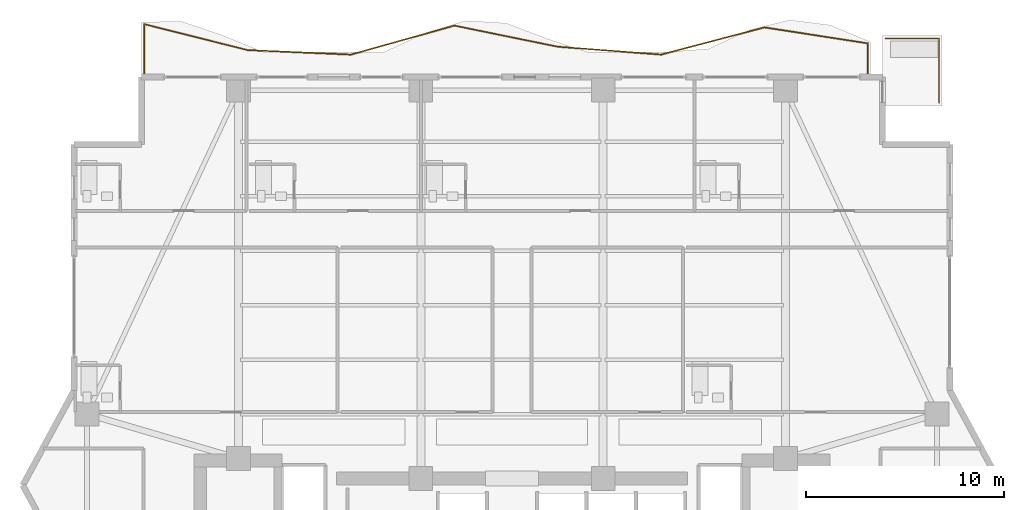
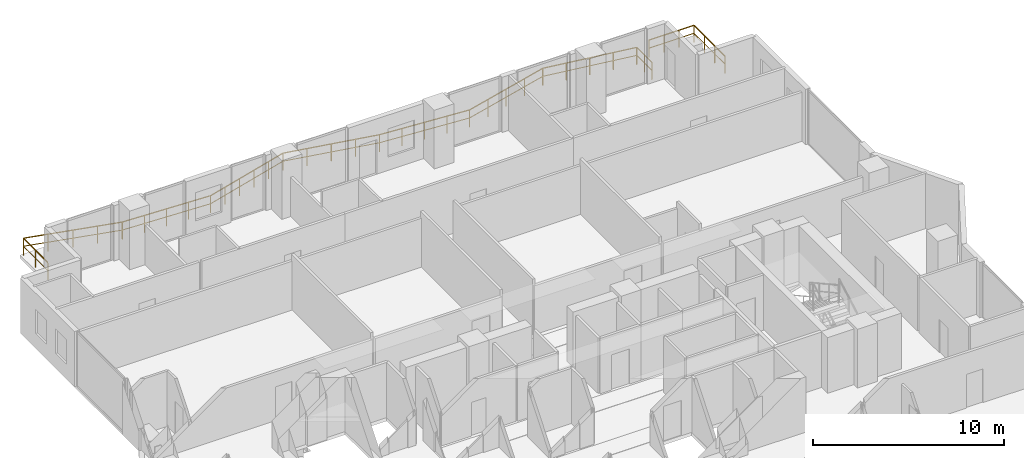
# One storey, part 32 of 33: 2 railings.
"""IFC4 building model written with IfcOpenShell, lengths in metres."""

import ifcopenshell
import ifcopenshell.guid

model = None  # the IFC model being written
_history = None  # IfcOwnerHistory: only IFC2X3 demands one
_inside = {}  # id of a spatial element -> (the spatial element, [elements in it])
_under = {}  # id of a project, library or spatial element -> (it, [spatial elements below it])
_declared = {}  # id of a project -> (the project, [libraries it declares])
_typed = {}  # id of a type object -> (the type object, [elements of that type])
_made_of = {}  # id of a material, layer set ... -> (it, [elements and type objects made of it])


def new_model(schema):
    """Start an empty IFC model of exactly this schema.

    Asked for "IFC4X3", IfcOpenShell would pick the latest addendum, in which some entities
    have other attributes; the version numbers below select the first issue.
    IFC2X3 requires an IfcOwnerHistory on every rooted entity: one is made here for all.
    """
    global model, _history
    if schema == "IFC4X3":
        model = ifcopenshell.file(schema_version=(4, 3, 0, 0))
    else:
        model = ifcopenshell.file(schema=schema)
    _inside.clear()
    _under.clear()
    _declared.clear()
    _typed.clear()
    _made_of.clear()
    _history = None
    if model.schema == "IFC2X3":
        org = make("IfcOrganization", Name="unknown")
        user = make(
            "IfcPersonAndOrganization",
            ThePerson=make("IfcPerson", FamilyName="unknown"),
            TheOrganization=org,
        )
        app = make(
            "IfcApplication",
            ApplicationDeveloper=org,
            Version="unknown",
            ApplicationFullName="unknown",
            ApplicationIdentifier="unknown",
        )
        _history = make(
            "IfcOwnerHistory",
            OwningUser=user,
            OwningApplication=app,
            ChangeAction="ADDED",
            CreationDate=0,
        )
    return model


def make(cls, **values):
    """One entity of the class cls with the attributes given. An attribute that is None is left unset."""
    return model.create_entity(
        cls, **{name: value for name, value in values.items() if value is not None}
    )


def rooted(cls, **values):
    """An entity with a GlobalId (a new one), such as an element, a storey or a relation."""
    return make(cls, GlobalId=ifcopenshell.guid.new(), OwnerHistory=_history, **values)


def si_unit(unit_type, name, prefix=None):
    """IfcSIUnit, for example si_unit("LENGTHUNIT", "METRE", prefix="MILLI")."""
    return make("IfcSIUnit", UnitType=unit_type, Prefix=prefix, Name=name)


def assignment(units):
    """IfcUnitAssignment: the units of a project."""
    return None if units is None else make("IfcUnitAssignment", Units=units)


def point(xyz):
    """IfcCartesianPoint."""
    return None if xyz is None else make("IfcCartesianPoint", Coordinates=xyz)


def direction(xyz):
    """IfcDirection."""
    return None if xyz is None else make("IfcDirection", DirectionRatios=xyz)


def frame(location, z_axis=None, x_axis=None):
    """IfcAxis2Placement3D, a coordinate frame: its origin and axes. An axis left out is left unset."""
    return make(
        "IfcAxis2Placement3D",
        Location=point(location),
        Axis=direction(z_axis),
        RefDirection=direction(x_axis),
    )


def frame_2d(location, x_axis=None):
    """IfcAxis2Placement2D, a coordinate frame in the plane: its origin and x axis."""
    return make(
        "IfcAxis2Placement2D", Location=point(location), RefDirection=direction(x_axis)
    )


def origin():
    """The frame at (0, 0, 0) with its axes left unset."""
    return frame((0.0, 0.0, 0.0))


def origin_2d():
    """The frame at (0, 0) in the plane with its x axis left unset."""
    return frame_2d((0.0, 0.0))


def place(relative_to, where):
    """IfcLocalPlacement: puts the frame where relative to a parent placement (None: the world)."""
    return make(
        "IfcLocalPlacement", PlacementRelTo=relative_to, RelativePlacement=where
    )


def context(
    kind, dimensions, precision=None, world=None, true_north=None, identifier=None
):
    """IfcGeometricRepresentationContext, for example the 3D "Model" context."""
    return make(
        "IfcGeometricRepresentationContext",
        ContextIdentifier=identifier,
        ContextType=kind,
        CoordinateSpaceDimension=dimensions,
        Precision=precision,
        WorldCoordinateSystem=world,
        TrueNorth=true_north,
    )


def subcontext(parent, identifier, kind, view, scale=None):
    """IfcGeometricRepresentationSubContext, for example "Body" below "Model"."""
    return make(
        "IfcGeometricRepresentationSubContext",
        ContextIdentifier=identifier,
        ContextType=kind,
        ParentContext=parent,
        TargetScale=scale,
        TargetView=view,
    )


def project(units=None, contexts=None):
    """IfcProject with its units and contexts."""
    return rooted(
        "IfcProject",
        Name="project",
        RepresentationContexts=contexts,
        UnitsInContext=assignment(units),
    )


def spatial(cls, under=None, at=None, **own):
    """A site, building, storey or space (cls), placed at a placement, below another one or the project."""
    s = rooted(cls, ObjectPlacement=at, **own)
    if under is not None:
        _under.setdefault(under.id(), (under, []))[1].append(s)
    return s


def profile(cls, at=None, kind="AREA", **sizes):
    """A parametric profile (cls). Its sizes go by their IFC names, for example OverallWidth=200.0."""
    return make(cls, ProfileType=kind, Position=at, **sizes)


def rectangle(**sizes):
    """IfcRectangleProfileDef."""
    return profile("IfcRectangleProfileDef", **sizes)


def extrude(swept, where, along, depth):
    """IfcExtrudedAreaSolid: the profile swept, set in the frame where, extruded along a direction by depth."""
    return make(
        "IfcExtrudedAreaSolid",
        SweptArea=swept,
        Position=where,
        ExtrudedDirection=direction(along),
        Depth=depth,
    )


def shape(context_of_items, identifier, shape_type, items):
    """IfcShapeRepresentation: the items that make up one representation, for example the "Body"."""
    return make(
        "IfcShapeRepresentation",
        ContextOfItems=context_of_items,
        RepresentationIdentifier=identifier,
        RepresentationType=shape_type,
        Items=items,
    )


def material(Name=None, Category=None):
    """IfcMaterial."""
    return make("IfcMaterial", Name=Name, Category=Category)


def made_of(thing, what):
    """Note that an element or type object is made of a material, layer set ...; save() writes the relation."""
    if what is not None:
        _made_of.setdefault(what.id(), (what, []))[1].append(thing)
    return thing


def type_object(cls, material=None, **own):
    """A type object (cls), such as IfcWallType, which elements share."""
    return made_of(rooted(cls, **own), material)


def element(
    cls,
    number,
    at=None,
    inside=None,
    cuts=None,
    type_object=None,
    material=None,
    context=None,
    identifier="Body",
    shape_type=None,
    held_by="IfcProductDefinitionShape",
    body=None,
    shapes=None,
    **own,
):
    """One element of the class cls, such as IfcWall. Its Tag is "e" and its number.

    at: its placement. inside: the storey or other place that contains it. cuts: it is an
    opening in that element (IfcRelVoidsElement). A single representation is given by context,
    identifier, shape_type and body (its items); several are given by shapes. held_by: the class
    of the entity that holds the representations. save() writes the other relations.
    """
    e = rooted(cls, Tag="e%d" % number, ObjectPlacement=at, **own)
    if body is not None:
        shapes = [shape(context, identifier, shape_type, body)]
    if shapes is not None:
        e.Representation = make(held_by, Representations=shapes)
    if inside is not None:
        _inside.setdefault(inside.id(), (inside, []))[1].append(e)
    if cuts is not None:
        rooted(
            "IfcRelVoidsElement", RelatingBuildingElement=cuts, RelatedOpeningElement=e
        )
    if type_object is not None:
        _typed.setdefault(type_object.id(), (type_object, []))[1].append(e)
    return made_of(e, material)


def aggregate(whole, parts):
    """IfcRelAggregates: a whole, such as a stair, and the parts it consists of."""
    return rooted("IfcRelAggregates", RelatingObject=whole, RelatedObjects=parts)


def save(model, path):
    """Write the relations noted so far, then the file.

    IfcRelAggregates (storeys below a building ...), IfcRelContainedInSpatialStructure (elements
    in a storey), IfcRelDefinesByType, IfcRelAssociatesMaterial and IfcRelDeclares: one each for
    every whole, place, type object, material and project.
    """
    for whole, parts in _under.values():
        aggregate(whole, parts)
    for where, things in _inside.values():
        rooted(
            "IfcRelContainedInSpatialStructure",
            RelatedElements=things,
            RelatingStructure=where,
        )
    for kind, things in _typed.values():
        rooted("IfcRelDefinesByType", RelatedObjects=things, RelatingType=kind)
    for what, things in _made_of.values():
        rooted("IfcRelAssociatesMaterial", RelatedObjects=things, RelatingMaterial=what)
    for by, libraries in _declared.values():
        rooted("IfcRelDeclares", RelatingContext=by, RelatedDefinitions=libraries)
    model.write(path)


model = new_model("IFC4")

# Units and contexts
model_context = context("Model", 3, precision=1e-05, world=origin(), true_north=direction((0.0, 1.0)))
body_context = subcontext(model_context, "Body", "Model", "MODEL_VIEW")
ifc_project = project(units=[si_unit("LENGTHUNIT", "METRE"), si_unit("AREAUNIT", "SQUARE_METRE"), si_unit("VOLUMEUNIT", "CUBIC_METRE"), si_unit("PLANEANGLEUNIT", "RADIAN"), si_unit("MASSUNIT", "GRAM", prefix="KILO")], contexts=[model_context])

# Site, building, storey
site_placement = place(None, origin())
site = spatial("IfcSite", under=ifc_project, at=site_placement, CompositionType="ELEMENT")
building_placement = place(site_placement, origin())
building = spatial("IfcBuilding", under=site, at=building_placement, Name="Zuhayl Quay Hotel", CompositionType="ELEMENT")
storey_placement = place(building_placement, frame((0.0, 0.0, 211.14990234375)))
storey = spatial("IfcBuildingStorey", under=building, at=storey_placement, Name="L53", CompositionType="ELEMENT", Elevation=211.14990234375)

# Railings
ifc_material = material(Name="Anodised Aluminium and Laminated Glass", Category="aluminium")
railing_type = type_object("IfcRailingType", Name="RL_EXT_BAL_1100", PredefinedType="BALUSTRADE", material=ifc_material)
railing_1_placement = place(storey_placement, frame((-18.56005859375, 33.719970703125, 0.0)))
element("IfcRailing", 1, at=railing_1_placement, inside=storey, type_object=railing_type, Name="L53 Balcony and Terrace Guard GR_L53_BAL_N", PredefinedType="BALUSTRADE", context=body_context, shape_type="SweptSolid", body=[
    extrude(rectangle(XDim=0.048095703125, YDim=0.048095703125, at=origin_2d()), frame((0.0, 0.0, 1.09619140625), z_axis=(0.0, 1.0, 0.0), x_axis=(-1.0, 0.0, 0.0)), (0.0, 0.0, 1.0), 2.55810546875),
    extrude(rectangle(XDim=0.0361328125, YDim=0.0361328125, at=origin_2d()), frame((0.0, 0.0, 0.58251953125), z_axis=(0.0, 1.0, 0.0), x_axis=(-1.0, 0.0, 0.0)), (0.0, 0.0, 1.0), 2.55810546875),
    extrude(rectangle(XDim=0.048095703125, YDim=0.048095703125, at=origin_2d()), frame((0.0, 2.55810546875, 1.09619140625), z_axis=(0.969877610758, -0.243592734191, 0.0), x_axis=(0.243592734191, 0.969877610758, 0.0)), (0.0, 0.0, 1.0), 5.379150390625),
    extrude(rectangle(XDim=0.0361328125, YDim=0.0361328125, at=origin_2d()), frame((0.0, 2.55810546875, 0.58251953125), z_axis=(0.969877610758, -0.243592734191, 0.0), x_axis=(0.243592734191, 0.969877610758, 0.0)), (0.0, 0.0, 1.0), 5.379150390625),
    extrude(rectangle(XDim=0.048095703125, YDim=0.048095703125, at=origin_2d()), frame((5.217041015625, 1.247802734375, 1.09619140625), z_axis=(0.999048291561, -0.043617784559, 0.0), x_axis=(0.043617784559, 0.999048291561, 0.0)), (0.0, 0.0, 1.0), 5.22216796875),
    extrude(rectangle(XDim=0.0361328125, YDim=0.0361328125, at=origin_2d()), frame((5.217041015625, 1.247802734375, 0.58251953125), z_axis=(0.999048291561, -0.043617784559, 0.0), x_axis=(0.043617784559, 0.999048291561, 0.0)), (0.0, 0.0, 1.0), 5.22216796875),
    extrude(rectangle(XDim=0.048095703125, YDim=0.048095703125, at=origin_2d()), frame((10.434326171875, 1.02001953125, 1.09619140625), z_axis=(0.962686523858, 0.270619025168, 0.0), x_axis=(-0.270619025168, 0.962686523858, 0.0)), (0.0, 0.0, 1.0), 5.419189453125),
    extrude(rectangle(XDim=0.0361328125, YDim=0.0361328125, at=origin_2d()), frame((10.434326171875, 1.02001953125, 0.58251953125), z_axis=(0.962686523858, 0.270619025168, 0.0), x_axis=(-0.270619025168, 0.962686523858, 0.0)), (0.0, 0.0, 1.0), 5.419189453125),
    extrude(rectangle(XDim=0.048095703125, YDim=0.048095703125, at=origin_2d()), frame((15.6513671875, 2.486572265625, 1.09619140625), z_axis=(0.979680142678, -0.200566243529, 0.0), x_axis=(0.200566243529, 0.979680142678, 0.0)), (0.0, 0.0, 1.0), 5.325439453125),
    extrude(rectangle(XDim=0.0361328125, YDim=0.0361328125, at=origin_2d()), frame((15.6513671875, 2.486572265625, 0.58251953125), z_axis=(0.979680142678, -0.200566243529, 0.0), x_axis=(0.200566243529, 0.979680142678, 0.0)), (0.0, 0.0, 1.0), 5.325439453125),
    extrude(rectangle(XDim=0.048095703125, YDim=0.048095703125, at=origin_2d()), frame((20.86865234375, 1.41845703125, 1.09619140625), z_axis=(0.997096330832, -0.076150555099, 0.0), x_axis=(0.076150555099, 0.997096330832, 0.0)), (0.0, 0.0, 1.0), 5.232177734375),
    extrude(rectangle(XDim=0.0361328125, YDim=0.0361328125, at=origin_2d()), frame((20.86865234375, 1.41845703125, 0.58251953125), z_axis=(0.997096330832, -0.076150555099, 0.0), x_axis=(0.076150555099, 0.997096330832, 0.0)), (0.0, 0.0, 1.0), 5.232177734375),
    extrude(rectangle(XDim=0.048095703125, YDim=0.048095703125, at=origin_2d()), frame((26.085693359375, 1.02001953125, 1.09619140625), z_axis=(0.967004162691, 0.254760572576, 0.0), x_axis=(-0.254760572576, 0.967004162691, 0.0)), (0.0, 0.0, 1.0), 5.395263671875),
    extrude(rectangle(XDim=0.0361328125, YDim=0.0361328125, at=origin_2d()), frame((26.085693359375, 1.02001953125, 0.58251953125), z_axis=(0.967004162691, 0.254760572576, 0.0), x_axis=(-0.254760572576, 0.967004162691, 0.0)), (0.0, 0.0, 1.0), 5.395263671875),
    extrude(rectangle(XDim=0.048095703125, YDim=0.048095703125, at=origin_2d()), frame((31.302978515625, 2.39453125, 1.09619140625), z_axis=(0.988284921549, -0.152620161969, 0.0), x_axis=(0.152620161969, 0.988284921549, 0.0)), (0.0, 0.0, 1.0), 5.27880859375),
    extrude(rectangle(XDim=0.0361328125, YDim=0.0361328125, at=origin_2d()), frame((31.302978515625, 2.39453125, 0.58251953125), z_axis=(0.988284921549, -0.152620161969, 0.0), x_axis=(0.152620161969, 0.988284921549, 0.0)), (0.0, 0.0, 1.0), 5.27880859375),
    extrude(rectangle(XDim=0.048095703125, YDim=0.048095703125, at=origin_2d()), frame((36.52001953125, 1.5888671875, 1.09619140625), z_axis=(0.0, -1.0, 0.0), x_axis=(1.0, 0.0, 0.0)), (0.0, 0.0, 1.0), 1.5888671875),
    extrude(rectangle(XDim=0.0361328125, YDim=0.0361328125, at=origin_2d()), frame((36.52001953125, 1.5888671875, 0.58251953125), z_axis=(0.0, -1.0, 0.0), x_axis=(1.0, 0.0, 0.0)), (0.0, 0.0, 1.0), 1.5888671875),
    extrude(rectangle(XDim=0.0419921875, YDim=0.0419921875, at=origin_2d()), origin(), (0.0, 0.0, 1.0), 1.072021484375),
    extrude(rectangle(XDim=0.0419921875, YDim=0.0419921875, at=origin_2d()), frame((0.0, 1.279052734375, 0.0)), (0.0, 0.0, 1.0), 1.072021484375),
    extrude(rectangle(XDim=0.0419921875, YDim=0.0419921875, at=origin_2d()), frame((0.0, 2.55810546875, 0.0)), (0.0, 0.0, 1.0), 1.072021484375),
    extrude(rectangle(XDim=0.0419921875, YDim=0.0419921875, at=origin_2d()), frame((1.30419921875, 2.23046875, 0.0)), (0.0, 0.0, 1.0), 1.072021484375),
    extrude(rectangle(XDim=0.0419921875, YDim=0.0419921875, at=origin_2d()), frame((2.6083984375, 1.90283203125, 0.0)), (0.0, 0.0, 1.0), 1.072021484375),
    extrude(rectangle(XDim=0.0419921875, YDim=0.0419921875, at=origin_2d()), frame((3.912841796875, 1.575439453125, 0.0)), (0.0, 0.0, 1.0), 1.072021484375),
    extrude(rectangle(XDim=0.0419921875, YDim=0.0419921875, at=origin_2d()), frame((5.217041015625, 1.247802734375, 0.0)), (0.0, 0.0, 1.0), 1.072021484375),
    extrude(rectangle(XDim=0.0419921875, YDim=0.0419921875, at=origin_2d()), frame((6.521484375, 1.19091796875, 0.0)), (0.0, 0.0, 1.0), 1.072021484375),
    extrude(rectangle(XDim=0.0419921875, YDim=0.0419921875, at=origin_2d()), frame((7.82568359375, 1.1337890625, 0.0)), (0.0, 0.0, 1.0), 1.072021484375),
    extrude(rectangle(XDim=0.0419921875, YDim=0.0419921875, at=origin_2d()), frame((9.1298828125, 1.076904296875, 0.0)), (0.0, 0.0, 1.0), 1.072021484375),
    extrude(rectangle(XDim=0.0419921875, YDim=0.0419921875, at=origin_2d()), frame((10.434326171875, 1.02001953125, 0.0)), (0.0, 0.0, 1.0), 1.072021484375),
    extrude(rectangle(XDim=0.0419921875, YDim=0.0419921875, at=origin_2d()), frame((11.477783203125, 1.313232421875, 0.0)), (0.0, 0.0, 1.0), 1.072021484375),
    extrude(rectangle(XDim=0.0419921875, YDim=0.0419921875, at=origin_2d()), frame((12.521240234375, 1.606689453125, 0.0)), (0.0, 0.0, 1.0), 1.072021484375),
    extrude(rectangle(XDim=0.0419921875, YDim=0.0419921875, at=origin_2d()), frame((13.564453125, 1.89990234375, 0.0)), (0.0, 0.0, 1.0), 1.072021484375),
    extrude(rectangle(XDim=0.0419921875, YDim=0.0419921875, at=origin_2d()), frame((14.60791015625, 2.193359375, 0.0)), (0.0, 0.0, 1.0), 1.072021484375),
    extrude(rectangle(XDim=0.0419921875, YDim=0.0419921875, at=origin_2d()), frame((15.6513671875, 2.486572265625, 0.0)), (0.0, 0.0, 1.0), 1.072021484375),
    extrude(rectangle(XDim=0.0419921875, YDim=0.0419921875, at=origin_2d()), frame((16.95556640625, 2.219482421875, 0.0)), (0.0, 0.0, 1.0), 1.072021484375),
    extrude(rectangle(XDim=0.0419921875, YDim=0.0419921875, at=origin_2d()), frame((18.260009765625, 1.95263671875, 0.0)), (0.0, 0.0, 1.0), 1.072021484375),
    extrude(rectangle(XDim=0.0419921875, YDim=0.0419921875, at=origin_2d()), frame((19.564453125, 1.685546875, 0.0)), (0.0, 0.0, 1.0), 1.072021484375),
    extrude(rectangle(XDim=0.0419921875, YDim=0.0419921875, at=origin_2d()), frame((20.86865234375, 1.41845703125, 0.0)), (0.0, 0.0, 1.0), 1.072021484375),
    extrude(rectangle(XDim=0.0419921875, YDim=0.0419921875, at=origin_2d()), frame((22.1728515625, 1.31884765625, 0.0)), (0.0, 0.0, 1.0), 1.072021484375),
    extrude(rectangle(XDim=0.0419921875, YDim=0.0419921875, at=origin_2d()), frame((23.47705078125, 1.21923828125, 0.0)), (0.0, 0.0, 1.0), 1.072021484375),
    extrude(rectangle(XDim=0.0419921875, YDim=0.0419921875, at=origin_2d()), frame((24.781494140625, 1.11962890625, 0.0)), (0.0, 0.0, 1.0), 1.072021484375),
    extrude(rectangle(XDim=0.0419921875, YDim=0.0419921875, at=origin_2d()), frame((26.085693359375, 1.02001953125, 0.0)), (0.0, 0.0, 1.0), 1.072021484375),
    extrude(rectangle(XDim=0.0419921875, YDim=0.0419921875, at=origin_2d()), frame((27.39013671875, 1.36376953125, 0.0)), (0.0, 0.0, 1.0), 1.072021484375),
    extrude(rectangle(XDim=0.0419921875, YDim=0.0419921875, at=origin_2d()), frame((28.6943359375, 1.707275390625, 0.0)), (0.0, 0.0, 1.0), 1.072021484375),
    extrude(rectangle(XDim=0.0419921875, YDim=0.0419921875, at=origin_2d()), frame((29.99853515625, 2.05078125, 0.0)), (0.0, 0.0, 1.0), 1.072021484375),
    extrude(rectangle(XDim=0.0419921875, YDim=0.0419921875, at=origin_2d()), frame((31.302978515625, 2.39453125, 0.0)), (0.0, 0.0, 1.0), 1.072021484375),
    extrude(rectangle(XDim=0.0419921875, YDim=0.0419921875, at=origin_2d()), frame((32.607177734375, 2.193115234375, 0.0)), (0.0, 0.0, 1.0), 1.072021484375),
    extrude(rectangle(XDim=0.0419921875, YDim=0.0419921875, at=origin_2d()), frame((33.91162109375, 1.99169921875, 0.0)), (0.0, 0.0, 1.0), 1.072021484375),
    extrude(rectangle(XDim=0.0419921875, YDim=0.0419921875, at=origin_2d()), frame((35.2158203125, 1.790283203125, 0.0)), (0.0, 0.0, 1.0), 1.072021484375),
    extrude(rectangle(XDim=0.0419921875, YDim=0.0419921875, at=origin_2d()), frame((36.52001953125, 1.5888671875, 0.0)), (0.0, 0.0, 1.0), 1.072021484375),
    extrude(rectangle(XDim=0.0419921875, YDim=0.0419921875, at=origin_2d()), frame((36.52001953125, 0.79443359375, 0.0)), (0.0, 0.0, 1.0), 1.072021484375),
    extrude(rectangle(XDim=0.0419921875, YDim=0.0419921875, at=origin_2d()), frame((36.52001953125, 0.0, 0.0)), (0.0, 0.0, 1.0), 1.072021484375),
])
railing_2_placement = place(storey_placement, frame((21.56005859375, 32.2900390625, 0.0)))
element("IfcRailing", 2, at=railing_2_placement, inside=storey, type_object=railing_type, Name="L53 Balcony and Terrace Guard GR_L53_SPIRAL_NE", PredefinedType="BALUSTRADE", context=body_context, shape_type="SweptSolid", body=[
    extrude(rectangle(XDim=0.048095703125, YDim=0.048095703125, at=origin_2d()), frame((0.0, 0.0, 1.09619140625), z_axis=(0.0, 1.0, 0.0), x_axis=(-1.0, 0.0, 0.0)), (0.0, 0.0, 1.0), 3.27001953125),
    extrude(rectangle(XDim=0.0361328125, YDim=0.0361328125, at=origin_2d()), frame((0.0, 0.0, 0.58251953125), z_axis=(0.0, 1.0, 0.0), x_axis=(-1.0, 0.0, 0.0)), (0.0, 0.0, 1.0), 3.27001953125),
    extrude(rectangle(XDim=0.048095703125, YDim=0.048095703125, at=origin_2d()), frame((0.0, 3.27001953125, 1.09619140625), z_axis=(-1.0, 0.0, 0.0), x_axis=(0.0, -1.0, 0.0)), (0.0, 0.0, 1.0), 2.719970703125),
    extrude(rectangle(XDim=0.0361328125, YDim=0.0361328125, at=origin_2d()), frame((0.0, 3.27001953125, 0.58251953125), z_axis=(-1.0, 0.0, 0.0), x_axis=(0.0, -1.0, 0.0)), (0.0, 0.0, 1.0), 2.719970703125),
    extrude(rectangle(XDim=0.0419921875, YDim=0.0419921875, at=origin_2d()), origin(), (0.0, 0.0, 1.0), 1.072021484375),
    extrude(rectangle(XDim=0.0419921875, YDim=0.0419921875, at=origin_2d()), frame((0.0, 1.090087890625, 0.0)), (0.0, 0.0, 1.0), 1.072021484375),
    extrude(rectangle(XDim=0.0419921875, YDim=0.0419921875, at=origin_2d()), frame((0.0, 2.179931640625, 0.0)), (0.0, 0.0, 1.0), 1.072021484375),
    extrude(rectangle(XDim=0.0419921875, YDim=0.0419921875, at=origin_2d()), frame((0.0, 3.27001953125, 0.0)), (0.0, 0.0, 1.0), 1.072021484375),
    extrude(rectangle(XDim=0.0419921875, YDim=0.0419921875, at=origin_2d()), frame((-0.90673828125, 3.27001953125, 0.0)), (0.0, 0.0, 1.0), 1.072021484375),
    extrude(rectangle(XDim=0.0419921875, YDim=0.0419921875, at=origin_2d()), frame((-1.813232421875, 3.27001953125, 0.0)), (0.0, 0.0, 1.0), 1.072021484375),
    extrude(rectangle(XDim=0.0419921875, YDim=0.0419921875, at=origin_2d()), frame((-2.719970703125, 3.27001953125, 0.0)), (0.0, 0.0, 1.0), 1.072021484375),
])

save(model, "model.ifc")
